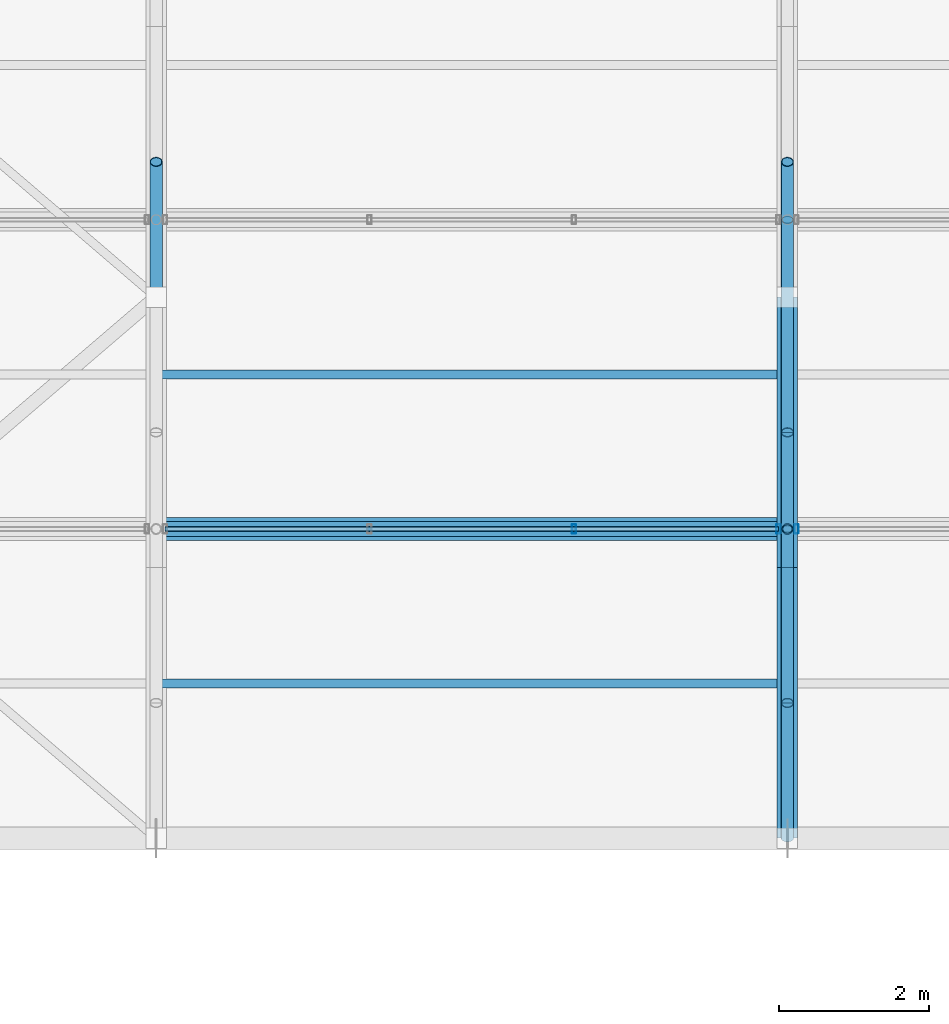
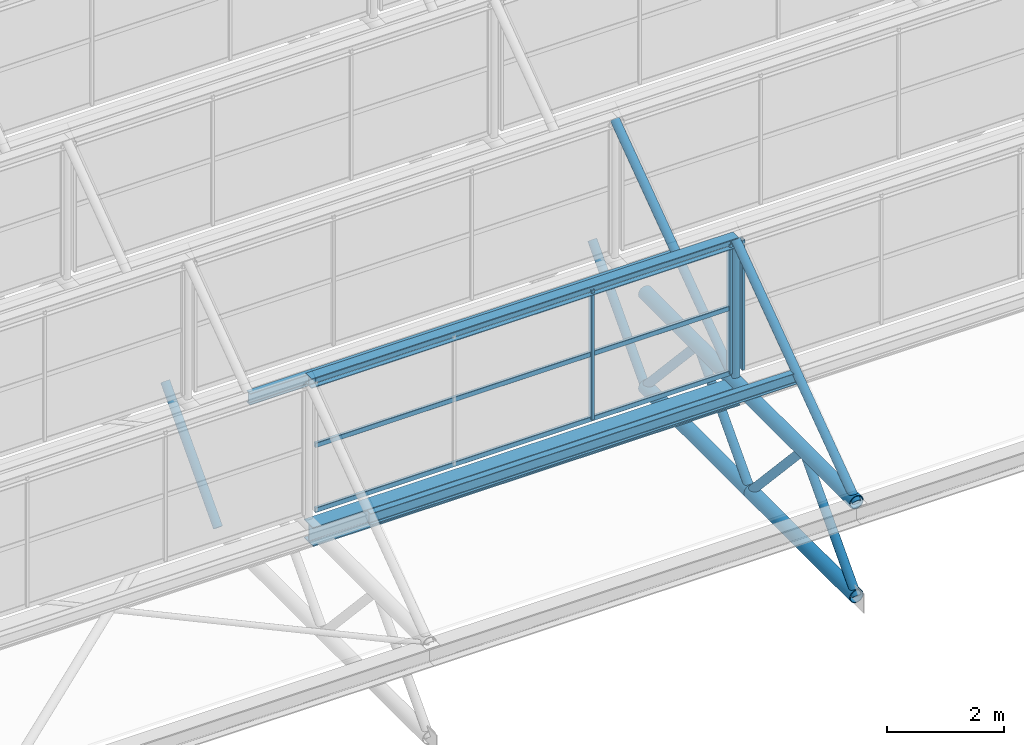
# One storey, part 54 of 134: 19 members, 4 beams, 2 elements without a shape of their own.
"""IFC4 building model written with IfcOpenShell, lengths in metres."""

from ifc_helpers import new_model, si_unit, derived_unit, direction, frame, origin, origin_2d, place, context, subcontext, project, spatial, hollow_rectangle, hollow_circle, i_section, extrude, material, material_profile, profile_set, type_object, element, aggregate, save


model = new_model("IFC4")

# Units and contexts
model_context = context("Model", 3, precision=1e-05, world=origin(), true_north=direction((0.0, 1.0)))
body_context = subcontext(model_context, "Body", "Model", "MODEL_VIEW")
ifc_project = project(units=[si_unit("LENGTHUNIT", "METRE"), si_unit("AREAUNIT", "SQUARE_METRE"), si_unit("VOLUMEUNIT", "CUBIC_METRE"), si_unit("PLANEANGLEUNIT", "RADIAN"), si_unit("MASSUNIT", "GRAM", prefix="KILO"), derived_unit("THERMALTRANSMITTANCEUNIT", [(si_unit("MASSUNIT", "GRAM", prefix="KILO"), 1), (si_unit("TIMEUNIT", "SECOND"), -3), (si_unit("THERMODYNAMICTEMPERATUREUNIT", "KELVIN"), -1)])], contexts=[model_context])

# Site, building, storey
site_placement = place(None, origin())
site = spatial("IfcSite", under=ifc_project, at=site_placement, CompositionType="ELEMENT")
building_placement = place(site_placement, origin())
building = spatial("IfcBuilding", under=site, at=building_placement, Name="Kharveza Railside Sports Centre", CompositionType="ELEMENT")
storey_placement = place(building_placement, frame((0.0, 0.0, 12.89990234375)))
storey = spatial("IfcBuildingStorey", under=building, at=storey_placement, Name="L03", CompositionType="ELEMENT", Elevation=12.89990234375)

# Beams
ifc_material_1 = material(Name="Steel S355J2", Category="steel")
ifc_material_profile_1 = material_profile(ifc_material_1, i_section(OverallWidth=0.300048828125, OverallDepth=0.39990234375, WebThickness=0.013427734375, FlangeThickness=0.02392578125, FilletRadius=0.027099609375, at=origin_2d()), Name="HEB 400")
ifc_profile_set_1 = profile_set([ifc_material_profile_1], Name="Steel S355J2")
beam_type_1 = type_object("IfcBeamType", Name="BM-G07", PredefinedType="T_BEAM", material=ifc_profile_set_1)
beam_1_placement = place(storey_placement, frame((100.800048828125, 83.314208984375, 1.760009765625), z_axis=(1.0, 0.0, 0.0), x_axis=(0.0, 1.0, 0.0)))
element("IfcBeam", 1, at=beam_1_placement, inside=storey, type_object=beam_type_1, Name="BM-V2SAW-VAL-2-2", PredefinedType="T_BEAM", context=body_context, shape_type="SweptSolid", body=[
    extrude(i_section(OverallWidth=0.300048828125, OverallDepth=0.39990234375, WebThickness=0.013427734375, FlangeThickness=0.02392578125, FilletRadius=0.027099609375, at=origin_2d()), origin(), (0.0, 0.0, 1.0), 8.39990234375),
])
ifc_material_2 = material(Name="Steel S275JR", Category="steel")
ifc_material_profile_2 = material_profile(ifc_material_2, i_section(OverallWidth=0.1201171875, OverallDepth=0.239990234375, WebThickness=0.006103515625, FlangeThickness=0.009765625, FilletRadius=0.014892578125, at=origin_2d()), Name="IPE 240")
ifc_profile_set_2 = profile_set([ifc_material_profile_2], Name="Steel S275JR")
beam_type_2 = type_object("IfcBeamType", Name="BM-J01", PredefinedType="JOIST", material=ifc_profile_set_2)
for number, where, z_axis, x_axis, name in (
    (2, (100.800048828125, 81.257080078125, 3.320068359375), (1.0, 0.0, 0.0), (0.0, 1.0, 0.0), "BM-V2SAW-PUR-1-2"),
    (3, (100.800048828125, 85.37158203125, 3.320068359375), (1.0, 0.0, 0.0), (0.0, 1.0, 0.0), "BM-V2SAW-PUR-2-2"),
):
    element("IfcBeam", number, at=place(storey_placement, frame(where, z_axis=z_axis, x_axis=x_axis)), inside=storey, type_object=beam_type_2, Name=name, PredefinedType="JOIST", context=body_context, shape_type="SweptSolid", body=[
        extrude(i_section(OverallWidth=0.1201171875, OverallDepth=0.239990234375, WebThickness=0.006103515625, FlangeThickness=0.009765625, FilletRadius=0.014892578125, at=origin_2d()), origin(), (0.0, 0.0, 1.0), 8.39990234375),
    ])
ifc_material_profile_3 = material_profile(ifc_material_2, i_section(OverallWidth=0.199951171875, OverallDepth=0.199951171875, WebThickness=0.009033203125, FlangeThickness=0.014892578125, FilletRadius=0.01806640625, at=origin_2d()), Name="HEB 200")
ifc_profile_set_3 = profile_set([ifc_material_profile_3], Name="Steel S275JR")
beam_type_3 = type_object("IfcBeamType", Name="BM-J05", PredefinedType="JOIST", material=ifc_profile_set_3)
beam_2_placement = place(storey_placement, frame((100.800048828125, 83.314208984375, 4.920166015625), z_axis=(1.0, 0.0, 0.0), x_axis=(0.0, 1.0, 0.0)))
element("IfcBeam", 4, at=beam_2_placement, inside=storey, type_object=beam_type_3, Name="BM-V2SAW-RDG-1-2", PredefinedType="JOIST", context=body_context, shape_type="SweptSolid", body=[
    extrude(i_section(OverallWidth=0.199951171875, OverallDepth=0.199951171875, WebThickness=0.009033203125, FlangeThickness=0.014892578125, FilletRadius=0.01806640625, at=origin_2d()), origin(), (0.0, 0.0, 1.0), 8.39990234375),
])

# Curtain wall, members
ifc_material_3 = material(Name="Low-E solar-control laminated glass", Category="glass")
curtain_wall_type = type_object("IfcCurtainWallType", Name="CW-NL02", PredefinedType="NOTDEFINED", material=ifc_material_3)
curtain_wall_1_placement = place(storey_placement, origin())
curtain_wall_1 = element("IfcCurtainWall", 5, at=curtain_wall_1_placement, inside=storey, type_object=curtain_wall_type, Name="CW-V2NL-1-2", PredefinedType="NOTDEFINED")
ifc_material_4 = material(Name="Anodised aluminium 6063-T6", Category="aluminium")
ifc_material_profile_4 = material_profile(ifc_material_4, hollow_rectangle(XDim=0.06005859375, YDim=0.1201171875, WallThickness=0.0048828125, InnerFilletRadius=0.0048828125, OuterFilletRadius=0.010009765625, at=origin_2d()), Name="RHS 60x120x5.0")
ifc_profile_set_4 = profile_set([ifc_material_profile_4], Name="Anodised aluminium 6063-T6")
member_type_1 = type_object("IfcMemberType", Name="CW-ML05", PredefinedType="MULLION", material=ifc_profile_set_4)
member_1_placement = place(storey_placement, frame((106.360107421875, 83.314208984375, 2.2001953125), z_axis=(0.0, 0.0, 1.0), x_axis=(1.0, 0.0, 0.0)))
member_1 = element("IfcMember", 6, at=member_1_placement, type_object=member_type_1, Name="CW-V2NL-1-2-ML3", PredefinedType="MULLION", context=body_context, shape_type="SweptSolid", body=[
    extrude(hollow_rectangle(XDim=0.06005859375, YDim=0.1201171875, WallThickness=0.0048828125, InnerFilletRadius=0.0048828125, OuterFilletRadius=0.010009765625, at=origin_2d()), origin(), (0.0, 0.0, 1.0), 2.699951171875),
])
member_2_placement = place(storey_placement, frame((109.080078125, 83.314208984375, 2.2001953125), z_axis=(0.0, 0.0, 1.0), x_axis=(1.0, 0.0, 0.0)))
member_2 = element("IfcMember", 7, at=member_2_placement, type_object=member_type_1, Name="CW-V2NL-1-2-ML4", PredefinedType="MULLION", context=body_context, shape_type="SweptSolid", body=[
    extrude(hollow_rectangle(XDim=0.06005859375, YDim=0.1201171875, WallThickness=0.0048828125, InnerFilletRadius=0.0048828125, OuterFilletRadius=0.010009765625, at=origin_2d()), origin(), (0.0, 0.0, 1.0), 2.699951171875),
])

# Curtain wall, member
curtain_wall_2_placement = place(storey_placement, origin())
curtain_wall_2 = element("IfcCurtainWall", 8, at=curtain_wall_2_placement, inside=storey, type_object=curtain_wall_type, Name="CW-V2NL-1-3", PredefinedType="NOTDEFINED")
member_3_placement = place(storey_placement, frame((109.320068359375, 83.314208984375, 2.2001953125), z_axis=(0.0, 0.0, 1.0), x_axis=(1.0, 0.0, 0.0)))
member_3 = element("IfcMember", 9, at=member_3_placement, type_object=member_type_1, Name="CW-V2NL-1-3-ML1", PredefinedType="MULLION", context=body_context, shape_type="SweptSolid", body=[
    extrude(hollow_rectangle(XDim=0.06005859375, YDim=0.1201171875, WallThickness=0.0048828125, InnerFilletRadius=0.0048828125, OuterFilletRadius=0.010009765625, at=origin_2d()), origin(), (0.0, 0.0, 1.0), 2.699951171875),
])
aggregate(curtain_wall_2, [member_3])

# Member
ifc_material_profile_5 = material_profile(ifc_material_4, hollow_rectangle(XDim=0.06005859375, YDim=0.10009765625, WallThickness=0.00390625, InnerFilletRadius=0.00390625, OuterFilletRadius=0.008056640625, at=origin_2d()), Name="RHS 60x100x4.0")
ifc_profile_set_5 = profile_set([ifc_material_profile_5], Name="Anodised aluminium 6063-T6")
member_type_2 = type_object("IfcMemberType", Name="CW-TR05", PredefinedType="USERDEFINED", material=ifc_profile_set_5)
member_4_placement = place(storey_placement, frame((100.919921875, 83.314208984375, 2.2001953125), z_axis=(1.0, 0.0, 0.0), x_axis=(0.0, 1.0, 0.0)))
member_4 = element("IfcMember", 10, at=member_4_placement, type_object=member_type_2, Name="CW-V2NL-1-2-TR1", ObjectType="TRANSOM", PredefinedType="USERDEFINED", context=body_context, shape_type="SweptSolid", body=[
    extrude(hollow_rectangle(XDim=0.06005859375, YDim=0.10009765625, WallThickness=0.00390625, InnerFilletRadius=0.00390625, OuterFilletRadius=0.008056640625, at=origin_2d()), origin(), (0.0, 0.0, 1.0), 8.16015625),
])

member_5_placement = place(storey_placement, frame((100.919921875, 83.314208984375, 3.550048828125), z_axis=(1.0, 0.0, 0.0), x_axis=(0.0, 1.0, 0.0)))
member_5 = element("IfcMember", 11, at=member_5_placement, type_object=member_type_2, Name="CW-V2NL-1-2-TR2", ObjectType="TRANSOM", PredefinedType="USERDEFINED", context=body_context, shape_type="SweptSolid", body=[
    extrude(hollow_rectangle(XDim=0.06005859375, YDim=0.10009765625, WallThickness=0.00390625, InnerFilletRadius=0.00390625, OuterFilletRadius=0.008056640625, at=origin_2d()), origin(), (0.0, 0.0, 1.0), 8.16015625),
])

member_6_placement = place(storey_placement, frame((100.919921875, 83.314208984375, 4.900146484375), z_axis=(1.0, 0.0, 0.0), x_axis=(0.0, 1.0, 0.0)))
member_6 = element("IfcMember", 12, at=member_6_placement, type_object=member_type_2, Name="CW-V2NL-1-2-TR3", ObjectType="TRANSOM", PredefinedType="USERDEFINED", context=body_context, shape_type="SweptSolid", body=[
    extrude(hollow_rectangle(XDim=0.06005859375, YDim=0.10009765625, WallThickness=0.00390625, InnerFilletRadius=0.00390625, OuterFilletRadius=0.008056640625, at=origin_2d()), origin(), (0.0, 0.0, 1.0), 8.16015625),
])

aggregate(curtain_wall_1, [member_1, member_2, member_4, member_5, member_6])

# Members
ifc_material_profile_6 = material_profile(ifc_material_1, hollow_circle(Radius=0.136474609375, WallThickness=0.01416015625, at=origin_2d()), Name="CHS 273.0x14.2")
ifc_profile_set_6 = profile_set([ifc_material_profile_6], Name="Steel S355J2")
member_type_3 = type_object("IfcMemberType", Name="MB-CH03", PredefinedType="CHORD", material=ifc_profile_set_6)
for number, where, z_axis, x_axis, name in (
    (13, (109.199951171875, 79.199951171875, 0.0), (0.0, 1.0, 0.0), (-1.0, 0.0, 0.0), "MB-V2TR-BC-3-1"),
    (14, (109.199951171875, 79.199951171875, 1.9501953125), (0.0, 1.0, 0.0), (-1.0, 0.0, 0.0), "MB-V2TR-TC-3-1"),
):
    element("IfcMember", number, at=place(storey_placement, frame(where, z_axis=z_axis, x_axis=x_axis)), inside=storey, type_object=member_type_3, Name=name, PredefinedType="CHORD", context=body_context, shape_type="SweptSolid", body=[
        extrude(hollow_circle(Radius=0.136474609375, WallThickness=0.01416015625, at=origin_2d()), origin(), (0.0, 0.0, 1.0), 3.60009765625),
    ])
for number, where, z_axis, x_axis, name in (
    (15, (109.199951171875, 82.800048828125, 0.0), (0.0, 1.0, 0.0), (-1.0, 0.0, 0.0), "MB-V2TR-BC-3-2"),
    (16, (109.199951171875, 82.800048828125, 1.9501953125), (0.0, 1.0, 0.0), (-1.0, 0.0, 0.0), "MB-V2TR-TC-3-2"),
):
    element("IfcMember", number, at=place(storey_placement, frame(where, z_axis=z_axis, x_axis=x_axis)), inside=storey, type_object=member_type_3, Name=name, PredefinedType="CHORD", context=body_context, shape_type="SweptSolid", body=[
        extrude(hollow_circle(Radius=0.136474609375, WallThickness=0.01416015625, at=origin_2d()), origin(), (0.0, 0.0, 1.0), 3.599853515625),
    ])
ifc_material_profile_7 = material_profile(ifc_material_1, hollow_circle(Radius=0.084228515625, WallThickness=0.010009765625, at=origin_2d()), Name="CHS 168.3x10.0")
ifc_profile_set_7 = profile_set([ifc_material_profile_7], Name="Steel S355J2")
member_type_4 = type_object("IfcMemberType", Name="MB-ST03", PredefinedType="STRUT", material=ifc_profile_set_7)
for number, where, z_axis, x_axis, name in (
    (17, (100.800048828125, 86.39990234375, 0.0), (0.0, 0.67825335715, 0.734828131956), (-1.0, 0.0, 0.0), "MB-V2TR-D1-2-3"),
    (18, (109.199951171875, 79.199951171875, 0.0), (0.0, 0.67825335715, 0.734828131956), (-1.0, 0.0, 0.0), "MB-V2TR-D1-3-1"),
    (19, (109.199951171875, 81.0, 1.9501953125), (0.0, 0.67825335715, -0.734828131956), (-1.0, 0.0, 0.0), "MB-V2TR-D2-3-1"),
    (20, (109.199951171875, 82.800048828125, 0.0), (0.0, 0.67825335715, 0.734828131956), (-1.0, 0.0, 0.0), "MB-V2TR-D1-3-2"),
):
    element("IfcMember", number, at=place(storey_placement, frame(where, z_axis=z_axis, x_axis=x_axis)), inside=storey, type_object=member_type_4, Name=name, PredefinedType="STRUT", context=body_context, shape_type="SweptSolid", body=[
        extrude(hollow_circle(Radius=0.084228515625, WallThickness=0.010009765625, at=origin_2d()), origin(), (0.0, 0.0, 1.0), 2.654052734375),
    ])
member_7_placement = place(storey_placement, frame((109.199951171875, 84.60009765625, 1.9501953125), z_axis=(0.0, 0.678203679629, -0.734873981671), x_axis=(-1.0, 0.0, 0.0)))
element("IfcMember", 21, at=member_7_placement, inside=storey, type_object=member_type_4, Name="MB-V2TR-D2-3-2", PredefinedType="STRUT", context=body_context, shape_type="SweptSolid", body=[
    extrude(hollow_circle(Radius=0.084228515625, WallThickness=0.010009765625, at=origin_2d()), origin(), (0.0, 0.0, 1.0), 2.65380859375),
])
member_8_placement = place(storey_placement, frame((109.199951171875, 86.39990234375, 0.0), z_axis=(0.0, 0.67825335715, 0.734828131956), x_axis=(-1.0, 0.0, 0.0)))
element("IfcMember", 22, at=member_8_placement, inside=storey, type_object=member_type_4, Name="MB-V2TR-D1-3-3", PredefinedType="STRUT", context=body_context, shape_type="SweptSolid", body=[
    extrude(hollow_circle(Radius=0.084228515625, WallThickness=0.010009765625, at=origin_2d()), origin(), (0.0, 0.0, 1.0), 2.654052734375),
])
member_9_placement = place(storey_placement, frame((109.199951171875, 79.199951171875, 1.9501953125), z_axis=(0.0, 0.810813691418, 0.585304329225), x_axis=(-1.0, 0.0, 0.0)))
element("IfcMember", 23, at=member_9_placement, inside=storey, type_object=member_type_4, Name="MB-V2SAW-RFT-1-3", PredefinedType="STRUT", context=body_context, shape_type="SweptSolid", body=[
    extrude(hollow_circle(Radius=0.084228515625, WallThickness=0.010009765625, at=origin_2d()), origin(), (0.0, 0.0, 1.0), 5.07421875),
])
member_10_placement = place(storey_placement, frame((109.199951171875, 83.314208984375, 1.9501953125), z_axis=(0.0, 0.810830173333, 0.585281496386), x_axis=(-1.0, 0.0, 0.0)))
element("IfcMember", 24, at=member_10_placement, inside=storey, type_object=member_type_4, Name="MB-V2SAW-RFT-2-3", PredefinedType="STRUT", context=body_context, shape_type="SweptSolid", body=[
    extrude(hollow_circle(Radius=0.084228515625, WallThickness=0.010009765625, at=origin_2d()), origin(), (0.0, 0.0, 1.0), 5.074462890625),
])
ifc_material_profile_8 = material_profile(ifc_material_1, hollow_circle(Radius=0.06982421875, WallThickness=0.008056640625, at=origin_2d()), Name="CHS 139.7x8.0")
ifc_profile_set_8 = profile_set([ifc_material_profile_8], Name="Steel S355J2")
member_type_5 = type_object("IfcMemberType", Name="MB-ST04", PredefinedType="STRUT", material=ifc_profile_set_8)
member_11_placement = place(storey_placement, frame((109.199951171875, 83.314208984375, 1.9501953125), z_axis=(0.0, 0.0, 1.0), x_axis=(1.0, 0.0, 0.0)))
element("IfcMember", 25, at=member_11_placement, inside=storey, type_object=member_type_5, Name="MB-V2SAW-PST-1-3", PredefinedType="STRUT", context=body_context, shape_type="SweptSolid", body=[
    extrude(hollow_circle(Radius=0.06982421875, WallThickness=0.008056640625, at=origin_2d()), origin(), (0.0, 0.0, 1.0), 2.969970703125),
])

save(model, "model.ifc")
